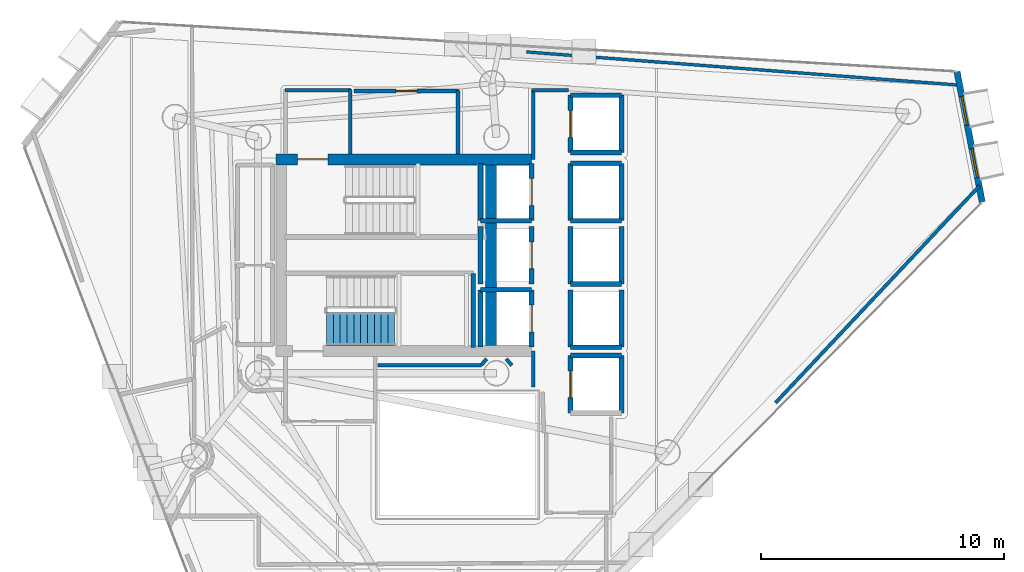
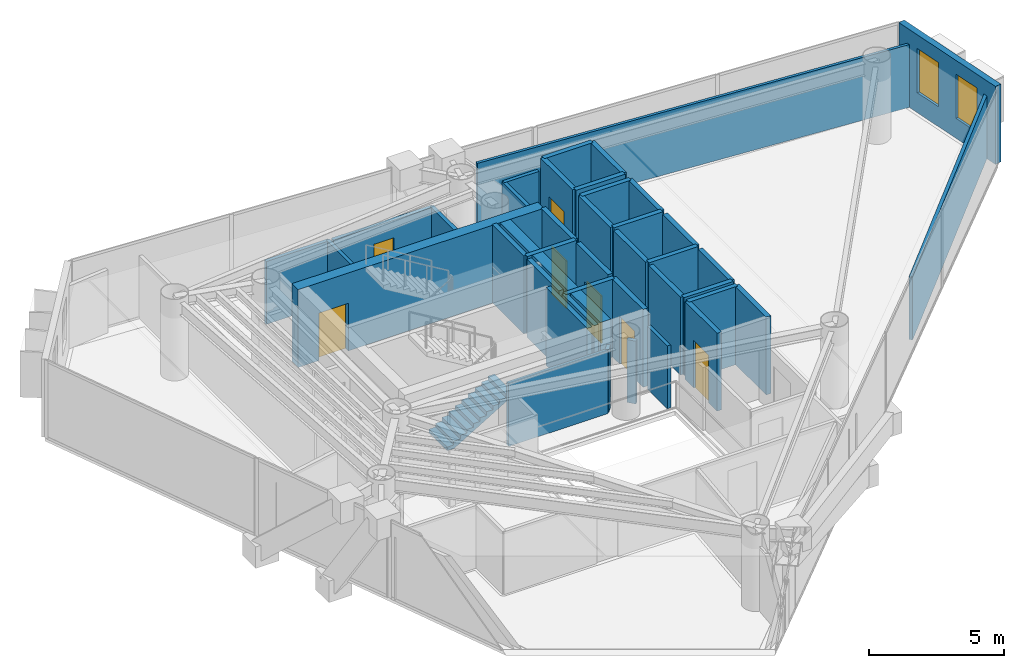
# One storey, part 17 of 20: 41 walls, 7 doors, 2 windows, 1 stair flight, 9 openings, 1 element without a shape of its own.
"""IFC4 building model written with IfcOpenShell, lengths in metres."""

import ifcopenshell
import ifcopenshell.guid

model = None  # the IFC model being written
_history = None  # IfcOwnerHistory: only IFC2X3 demands one
_inside = {}  # id of a spatial element -> (the spatial element, [elements in it])
_under = {}  # id of a project, library or spatial element -> (it, [spatial elements below it])
_declared = {}  # id of a project -> (the project, [libraries it declares])
_typed = {}  # id of a type object -> (the type object, [elements of that type])
_made_of = {}  # id of a material, layer set ... -> (it, [elements and type objects made of it])


def new_model(schema):
    """Start an empty IFC model of exactly this schema.

    Asked for "IFC4X3", IfcOpenShell would pick the latest addendum, in which some entities
    have other attributes; the version numbers below select the first issue.
    IFC2X3 requires an IfcOwnerHistory on every rooted entity: one is made here for all.
    """
    global model, _history
    if schema == "IFC4X3":
        model = ifcopenshell.file(schema_version=(4, 3, 0, 0))
    else:
        model = ifcopenshell.file(schema=schema)
    _inside.clear()
    _under.clear()
    _declared.clear()
    _typed.clear()
    _made_of.clear()
    _history = None
    if model.schema == "IFC2X3":
        org = make("IfcOrganization", Name="unknown")
        user = make(
            "IfcPersonAndOrganization",
            ThePerson=make("IfcPerson", FamilyName="unknown"),
            TheOrganization=org,
        )
        app = make(
            "IfcApplication",
            ApplicationDeveloper=org,
            Version="unknown",
            ApplicationFullName="unknown",
            ApplicationIdentifier="unknown",
        )
        _history = make(
            "IfcOwnerHistory",
            OwningUser=user,
            OwningApplication=app,
            ChangeAction="ADDED",
            CreationDate=0,
        )
    return model


def make(cls, **values):
    """One entity of the class cls with the attributes given. An attribute that is None is left unset."""
    return model.create_entity(
        cls, **{name: value for name, value in values.items() if value is not None}
    )


def rooted(cls, **values):
    """An entity with a GlobalId (a new one), such as an element, a storey or a relation."""
    return make(cls, GlobalId=ifcopenshell.guid.new(), OwnerHistory=_history, **values)


def si_unit(unit_type, name, prefix=None):
    """IfcSIUnit, for example si_unit("LENGTHUNIT", "METRE", prefix="MILLI")."""
    return make("IfcSIUnit", UnitType=unit_type, Prefix=prefix, Name=name)


def assignment(units):
    """IfcUnitAssignment: the units of a project."""
    return None if units is None else make("IfcUnitAssignment", Units=units)


def point(xyz):
    """IfcCartesianPoint."""
    return None if xyz is None else make("IfcCartesianPoint", Coordinates=xyz)


def direction(xyz):
    """IfcDirection."""
    return None if xyz is None else make("IfcDirection", DirectionRatios=xyz)


def frame(location, z_axis=None, x_axis=None):
    """IfcAxis2Placement3D, a coordinate frame: its origin and axes. An axis left out is left unset."""
    return make(
        "IfcAxis2Placement3D",
        Location=point(location),
        Axis=direction(z_axis),
        RefDirection=direction(x_axis),
    )


def frame_2d(location, x_axis=None):
    """IfcAxis2Placement2D, a coordinate frame in the plane: its origin and x axis."""
    return make(
        "IfcAxis2Placement2D", Location=point(location), RefDirection=direction(x_axis)
    )


def origin():
    """The frame at (0, 0, 0) with its axes left unset."""
    return frame((0.0, 0.0, 0.0))


def place(relative_to, where):
    """IfcLocalPlacement: puts the frame where relative to a parent placement (None: the world)."""
    return make(
        "IfcLocalPlacement", PlacementRelTo=relative_to, RelativePlacement=where
    )


def context(
    kind, dimensions, precision=None, world=None, true_north=None, identifier=None
):
    """IfcGeometricRepresentationContext, for example the 3D "Model" context."""
    return make(
        "IfcGeometricRepresentationContext",
        ContextIdentifier=identifier,
        ContextType=kind,
        CoordinateSpaceDimension=dimensions,
        Precision=precision,
        WorldCoordinateSystem=world,
        TrueNorth=true_north,
    )


def subcontext(parent, identifier, kind, view, scale=None):
    """IfcGeometricRepresentationSubContext, for example "Body" below "Model"."""
    return make(
        "IfcGeometricRepresentationSubContext",
        ContextIdentifier=identifier,
        ContextType=kind,
        ParentContext=parent,
        TargetScale=scale,
        TargetView=view,
    )


def project(units=None, contexts=None):
    """IfcProject with its units and contexts."""
    return rooted(
        "IfcProject",
        Name="project",
        RepresentationContexts=contexts,
        UnitsInContext=assignment(units),
    )


def spatial(cls, under=None, at=None, **own):
    """A site, building, storey or space (cls), placed at a placement, below another one or the project."""
    s = rooted(cls, ObjectPlacement=at, **own)
    if under is not None:
        _under.setdefault(under.id(), (under, []))[1].append(s)
    return s


def polyline(points):
    """IfcPolyline through the points."""
    return make("IfcPolyline", Points=[point(p) for p in points])


def profile(cls, at=None, kind="AREA", **sizes):
    """A parametric profile (cls). Its sizes go by their IFC names, for example OverallWidth=200.0."""
    return make(cls, ProfileType=kind, Position=at, **sizes)


def rectangle(**sizes):
    """IfcRectangleProfileDef."""
    return profile("IfcRectangleProfileDef", **sizes)


def outline(outer, holes=None, kind="AREA"):
    """IfcArbitraryClosedProfileDef: a profile drawn as a closed curve; with holes, ...WithVoids."""
    if holes is None:
        return make("IfcArbitraryClosedProfileDef", ProfileType=kind, OuterCurve=outer)
    return make(
        "IfcArbitraryProfileDefWithVoids",
        ProfileType=kind,
        OuterCurve=outer,
        InnerCurves=holes,
    )


def extrude(swept, where, along, depth):
    """IfcExtrudedAreaSolid: the profile swept, set in the frame where, extruded along a direction by depth."""
    return make(
        "IfcExtrudedAreaSolid",
        SweptArea=swept,
        Position=where,
        ExtrudedDirection=direction(along),
        Depth=depth,
    )


def shape(context_of_items, identifier, shape_type, items):
    """IfcShapeRepresentation: the items that make up one representation, for example the "Body"."""
    return make(
        "IfcShapeRepresentation",
        ContextOfItems=context_of_items,
        RepresentationIdentifier=identifier,
        RepresentationType=shape_type,
        Items=items,
    )


def material(Name=None, Category=None):
    """IfcMaterial."""
    return make("IfcMaterial", Name=Name, Category=Category)


def layer(
    of_material, thickness, ventilated=None, Name=None, Category=None, Priority=None
):
    """IfcMaterialLayer: one layer of a wall or slab, of a material (None: an air gap)."""
    return make(
        "IfcMaterialLayer",
        Material=of_material,
        LayerThickness=thickness,
        IsVentilated=ventilated,
        Name=Name,
        Category=Category,
        Priority=Priority,
    )


def layer_set(layers, Name=None):
    """IfcMaterialLayerSet."""
    return make("IfcMaterialLayerSet", MaterialLayers=layers, LayerSetName=Name)


def made_of(thing, what):
    """Note that an element or type object is made of a material, layer set ...; save() writes the relation."""
    if what is not None:
        _made_of.setdefault(what.id(), (what, []))[1].append(thing)
    return thing


def type_object(cls, material=None, **own):
    """A type object (cls), such as IfcWallType, which elements share."""
    return made_of(rooted(cls, **own), material)


def element(
    cls,
    number,
    at=None,
    inside=None,
    cuts=None,
    type_object=None,
    material=None,
    context=None,
    identifier="Body",
    shape_type=None,
    held_by="IfcProductDefinitionShape",
    body=None,
    shapes=None,
    **own,
):
    """One element of the class cls, such as IfcWall. Its Tag is "e" and its number.

    at: its placement. inside: the storey or other place that contains it. cuts: it is an
    opening in that element (IfcRelVoidsElement). A single representation is given by context,
    identifier, shape_type and body (its items); several are given by shapes. held_by: the class
    of the entity that holds the representations. save() writes the other relations.
    """
    e = rooted(cls, Tag="e%d" % number, ObjectPlacement=at, **own)
    if body is not None:
        shapes = [shape(context, identifier, shape_type, body)]
    if shapes is not None:
        e.Representation = make(held_by, Representations=shapes)
    if inside is not None:
        _inside.setdefault(inside.id(), (inside, []))[1].append(e)
    if cuts is not None:
        rooted(
            "IfcRelVoidsElement", RelatingBuildingElement=cuts, RelatedOpeningElement=e
        )
    if type_object is not None:
        _typed.setdefault(type_object.id(), (type_object, []))[1].append(e)
    return made_of(e, material)


def fill(opening, filler):
    """IfcRelFillsElement: the door or window that sits in an opening."""
    return rooted(
        "IfcRelFillsElement",
        RelatingOpeningElement=opening,
        RelatedBuildingElement=filler,
    )


def aggregate(whole, parts):
    """IfcRelAggregates: a whole, such as a stair, and the parts it consists of."""
    return rooted("IfcRelAggregates", RelatingObject=whole, RelatedObjects=parts)


def save(model, path):
    """Write the relations noted so far, then the file.

    IfcRelAggregates (storeys below a building ...), IfcRelContainedInSpatialStructure (elements
    in a storey), IfcRelDefinesByType, IfcRelAssociatesMaterial and IfcRelDeclares: one each for
    every whole, place, type object, material and project.
    """
    for whole, parts in _under.values():
        aggregate(whole, parts)
    for where, things in _inside.values():
        rooted(
            "IfcRelContainedInSpatialStructure",
            RelatedElements=things,
            RelatingStructure=where,
        )
    for kind, things in _typed.values():
        rooted("IfcRelDefinesByType", RelatedObjects=things, RelatingType=kind)
    for what, things in _made_of.values():
        rooted("IfcRelAssociatesMaterial", RelatedObjects=things, RelatingMaterial=what)
    for by, libraries in _declared.values():
        rooted("IfcRelDeclares", RelatingContext=by, RelatedDefinitions=libraries)
    model.write(path)


model = new_model("IFC4")

# Units and contexts
model_context = context("Model", 3, precision=1e-05, world=origin(), true_north=direction((0.0, 1.0)))
body_context = subcontext(model_context, "Body", "Model", "MODEL_VIEW")
ifc_project = project(units=[si_unit("LENGTHUNIT", "METRE"), si_unit("AREAUNIT", "SQUARE_METRE"), si_unit("VOLUMEUNIT", "CUBIC_METRE"), si_unit("PLANEANGLEUNIT", "RADIAN"), si_unit("MASSUNIT", "GRAM", prefix="KILO")], contexts=[model_context])

# Site, building, storey
site_placement = place(None, origin())
site = spatial("IfcSite", under=ifc_project, at=site_placement, CompositionType="ELEMENT")
building_placement = place(site_placement, origin())
building = spatial("IfcBuilding", under=site, at=building_placement, Name="Qianvela Tower", CompositionType="ELEMENT")
storey_placement = place(building_placement, frame((0.0, 0.0, 239.0)))
storey = spatial("IfcBuildingStorey", under=building, at=storey_placement, Name="L61", CompositionType="ELEMENT", Elevation=239.0)

# Wall, openings, windows
ifc_material_1 = material(Name="Terracotta Cladding on Concrete C40", Category="masonry")
ifc_layer_1 = layer(ifc_material_1, 0.260009765625)
ifc_layer_set_1 = layer_set([ifc_layer_1], Name="Terracotta Cladding on Concrete C40")
wall_type_1 = type_object("IfcWallType", Name="TERRACOTTA-WALL-260", PredefinedType="SOLIDWALL", material=ifc_layer_set_1)
wall_1_placement = place(storey_placement, frame((58.374755859375, 30.884521484375, 0.0), z_axis=(0.0, 0.0, 1.0), x_axis=(-0.189737131045, 0.981834925587, 0.0)))
wall_1 = element("IfcWall", 1, at=wall_1_placement, inside=storey, type_object=wall_type_1, Name="L61 Terracotta Chamfer Facet Wall 1", PredefinedType="SOLIDWALL", context=body_context, shape_type="SweptSolid", body=[
    extrude(rectangle(XDim=5.46484375, YDim=0.260009765625, at=frame_2d((2.732421875, 0.0))), origin(), (0.0, 0.0, 1.0), 3.52001953125),
])
opening_1_placement = place(wall_1_placement, frame((1.039306640625, 0.0, 0.89990234375)))
opening_1 = element("IfcOpeningElement", 2, at=opening_1_placement, cuts=wall_1, Name="Opening W-03", PredefinedType="OPENING", context=body_context, shape_type="SweptSolid", body=[
    extrude(rectangle(XDim=1.199951171875, YDim=2.0, at=frame_2d((0.60009765625, 1.0))), frame((0.0, 0.139892578125, 0.0), z_axis=(0.0, -1.0, 0.0), x_axis=(1.0, 0.0, 0.0)), (0.0, 0.0, 1.0), 0.280029296875),
])
opening_2_placement = place(wall_1_placement, frame((3.22509765625, 0.0, 0.89990234375)))
opening_2 = element("IfcOpeningElement", 3, at=opening_2_placement, cuts=wall_1, Name="Opening W-03", PredefinedType="OPENING", context=body_context, shape_type="SweptSolid", body=[
    extrude(rectangle(XDim=1.199951171875, YDim=2.0, at=frame_2d((0.60009765625, 1.0))), frame((0.0, 0.139892578125, 0.0), z_axis=(0.0, -1.0, 0.0), x_axis=(1.0, 0.0, 0.0)), (0.0, 0.0, 1.0), 0.280029296875),
])
ifc_material_2 = material(Name="Thermally Broken Aluminium and Low-E Glass", Category="aluminium")
window_type = type_object("IfcWindowType", Name="WIN-TC-1200x2000", PartitioningType="SINGLE_PANEL", PredefinedType="WINDOW", material=ifc_material_2)
window_1_placement = place(opening_1_placement, origin())
window_1 = element("IfcWindow", 4, at=window_1_placement, inside=storey, type_object=window_type, Name="L61 Chamfer Facet Window 1.1", OverallHeight=2.0, OverallWidth=1.199951171875, PartitioningType="SINGLE_PANEL", PredefinedType="WINDOW", context=body_context, shape_type="SweptSolid", body=[
    extrude(rectangle(XDim=1.199951171875, YDim=2.0, at=frame_2d((0.60009765625, 1.0))), frame((0.0, 0.030029296875, 0.0), z_axis=(0.0, -1.0, 0.0), x_axis=(1.0, 0.0, 0.0)), (0.0, 0.0, 1.0), 0.06005859375),
])
fill(opening_1, window_1)
window_2_placement = place(opening_2_placement, origin())
window_2 = element("IfcWindow", 5, at=window_2_placement, inside=storey, type_object=window_type, Name="L61 Chamfer Facet Window 1.2", OverallHeight=2.0, OverallWidth=1.199951171875, PartitioningType="SINGLE_PANEL", PredefinedType="WINDOW", context=body_context, shape_type="SweptSolid", body=[
    extrude(rectangle(XDim=1.199951171875, YDim=2.0, at=frame_2d((0.60009765625, 1.0))), frame((0.0, 0.030029296875, 0.0), z_axis=(0.0, -1.0, 0.0), x_axis=(1.0, 0.0, 0.0)), (0.0, 0.0, 1.0), 0.06005859375),
])
fill(opening_2, window_2)

# Wall, opening, door
ifc_material_3 = material(Name="Concrete C50", Category="concrete")
ifc_layer_2 = layer(ifc_material_3, 0.449951171875)
ifc_layer_set_2 = layer_set([ifc_layer_2], Name="Concrete C50")
wall_type_2 = type_object("IfcWallType", Name="WT-CORE-450", PredefinedType="SHEAR", material=ifc_layer_set_2)
wall_2_placement = place(storey_placement, frame((29.330078125, 32.64501953125, 0.0), z_axis=(0.0, 0.0, 1.0), x_axis=(1.0, 0.0, 0.0)))
wall_2 = element("IfcWall", 6, at=wall_2_placement, inside=storey, type_object=wall_type_2, Name="L61 North Core Shear Wall", PredefinedType="SHEAR", context=body_context, shape_type="SweptSolid", body=[
    extrude(rectangle(XDim=10.52001953125, YDim=0.449951171875, at=frame_2d((5.260009765625, 0.0))), origin(), (0.0, 0.0, 1.0), 3.52001953125),
])
opening_3_placement = place(wall_2_placement, frame((0.89501953125, 0.0, 0.0)))
opening_3 = element("IfcOpeningElement", 7, at=opening_3_placement, cuts=wall_2, Name="Opening D-ST1", PredefinedType="OPENING", context=body_context, shape_type="SweptSolid", body=[
    extrude(rectangle(XDim=1.25, YDim=2.14990234375, at=frame_2d((0.625, 1.074951171875))), frame((0.0, 0.23486328125, 0.0), z_axis=(0.0, -1.0, 0.0), x_axis=(1.0, 0.0, 0.0)), (0.0, 0.0, 1.0), 0.469970703125),
])
ifc_material_4 = material(Name="Galvanised Fire Steel Q355B", Category="steel")
door_type_1 = type_object("IfcDoorType", Name="DT-STAIR-FD90", OperationType="NOTDEFINED", PredefinedType="DOOR", material=ifc_material_4)
door_1_placement = place(opening_3_placement, origin())
door_1 = element("IfcDoor", 8, at=door_1_placement, inside=storey, type_object=door_type_1, Name="L61 Stair ST-1 Exit Door", OperationType="SINGLE_SWING_RIGHT", OverallHeight=2.14990234375, OverallWidth=1.25, PredefinedType="DOOR", context=body_context, shape_type="SweptSolid", body=[
    extrude(rectangle(XDim=1.25, YDim=2.14990234375, at=frame_2d((0.625, 1.074951171875))), frame((0.0, 0.02490234375, 0.0), z_axis=(0.0, -1.0, 0.0), x_axis=(1.0, 0.0, 0.0)), (0.0, 0.0, 1.0), 0.050048828125),
])
fill(opening_3, door_1)

# Walls
wall_3_placement = place(storey_placement, frame((38.179931640625, 24.97998046875, 0.0), z_axis=(0.0, 0.0, 1.0), x_axis=(0.0, 1.0, 0.0)))
element("IfcWall", 9, at=wall_3_placement, inside=storey, type_object=wall_type_2, Name="L61 East Spine Core Shear Wall", PredefinedType="SHEAR", context=body_context, shape_type="SweptSolid", body=[
    extrude(rectangle(XDim=7.43994140625, YDim=0.449951171875, at=frame_2d((3.719970703125, 0.0))), origin(), (0.0, 0.0, 1.0), 3.52001953125),
])
ifc_material_5 = material(Name="Fire-Rated Acoustic Gypsum Board")
ifc_layer_3 = layer(ifc_material_5, 0.14990234375)
ifc_layer_set_3 = layer_set([ifc_layer_3], Name="Fire-Rated Acoustic Gypsum Board")
wall_type_3 = type_object("IfcWallType", Name="WT-CORR-150", PredefinedType="PARTITIONING", material=ifc_layer_set_3)
wall_4_placement = place(storey_placement, frame((29.699951171875, 35.489013671875, 0.0), z_axis=(0.0, 0.0, 1.0), x_axis=(1.0, 0.0, 0.0)))
element("IfcWall", 10, at=wall_4_placement, inside=storey, type_object=wall_type_3, Name="L61 Partition 3", PredefinedType="PARTITIONING", context=body_context, shape_type="SweptSolid", body=[
    extrude(rectangle(XDim=2.719970703125, YDim=0.14990234375, at=frame_2d((1.35986328125, 0.0))), origin(), (0.0, 0.0, 1.0), 2.840087890625),
])
wall_5_placement = place(storey_placement, frame((32.388916015625, 35.52001953125, 0.0), z_axis=(0.0, 0.0, 1.0), x_axis=(0.0, -1.0, 0.0)))
element("IfcWall", 11, at=wall_5_placement, inside=storey, type_object=wall_type_3, Name="L61 Partition 4", PredefinedType="PARTITIONING", context=body_context, shape_type="SweptSolid", body=[
    extrude(rectangle(XDim=2.662109375, YDim=0.14990234375, at=frame_2d((1.3310546875, 0.0))), origin(), (0.0, 0.0, 1.0), 2.840087890625),
])
wall_6_placement = place(storey_placement, frame((39.910888671875, 23.280029296875, 0.0), z_axis=(0.0, 0.0, 1.0), x_axis=(0.0, 1.0, 0.0)))
element("IfcWall", 12, at=wall_6_placement, inside=storey, type_object=wall_type_3, Name="L61 Partition 10", PredefinedType="PARTITIONING", context=body_context, shape_type="SweptSolid", body=[
    extrude(rectangle(XDim=1.47998046875, YDim=0.14990234375, at=frame_2d((0.739990234375, 0.0))), origin(), (0.0, 0.0, 1.0), 2.840087890625),
])
wall_7_placement = place(storey_placement, frame((39.910888671875, 32.639892578125, 0.0), z_axis=(0.0, 0.0, 1.0), x_axis=(0.0, 1.0, 0.0)))
element("IfcWall", 13, at=wall_7_placement, inside=storey, type_object=wall_type_3, Name="L61 Partition 12", PredefinedType="PARTITIONING", context=body_context, shape_type="SweptSolid", body=[
    extrude(rectangle(XDim=2.880126953125, YDim=0.14990234375, at=frame_2d((1.43994140625, 0.0))), origin(), (0.0, 0.0, 1.0), 2.840087890625),
])
wall_8_placement = place(storey_placement, frame((39.8798828125, 35.489013671875, 0.0), z_axis=(0.0, 0.0, 1.0), x_axis=(1.0, 0.0, 0.0)))
element("IfcWall", 14, at=wall_8_placement, inside=storey, type_object=wall_type_3, Name="L61 Partition 13", PredefinedType="PARTITIONING", context=body_context, shape_type="SweptSolid", body=[
    extrude(rectangle(XDim=1.480224609375, YDim=0.14990234375, at=frame_2d((0.740234375, 0.0))), origin(), (0.0, 0.0, 1.0), 2.840087890625),
])
wall_9_placement = place(storey_placement, frame((39.0361328125, 24.170166015625, 0.0), z_axis=(0.0, 0.0, 1.0), x_axis=(-0.652260263346, 0.757995084984, 0.0)))
element("IfcWall", 15, at=wall_9_placement, inside=storey, type_object=wall_type_3, Name="L61 Partition 45", PredefinedType="PARTITIONING", context=body_context, shape_type="SweptSolid", body=[
    extrude(rectangle(XDim=0.35546875, YDim=0.14990234375, at=frame_2d((0.177734375, 0.0))), origin(), (0.0, 0.0, 1.0), 2.840087890625),
])
wall_10_placement = place(storey_placement, frame((37.995849609375, 24.439697265625, 0.0), z_axis=(0.0, 0.0, 1.0), x_axis=(-0.652425645794, -0.757852740782, 0.0)))
element("IfcWall", 16, at=wall_10_placement, inside=storey, type_object=wall_type_3, Name="L61 Partition 48", PredefinedType="PARTITIONING", context=body_context, shape_type="SweptSolid", body=[
    extrude(rectangle(XDim=0.319580078125, YDim=0.14990234375, at=frame_2d((0.15966796875, 0.0))), origin(), (0.0, 0.0, 1.0), 2.840087890625),
])
wall_11_placement = place(storey_placement, frame((37.787353515625, 24.180908203125, 0.0), z_axis=(0.0, 0.0, 1.0), x_axis=(-1.0, 0.0, 0.0)))
element("IfcWall", 17, at=wall_11_placement, inside=storey, type_object=wall_type_3, Name="L61 Partition 49", PredefinedType="PARTITIONING", context=body_context, shape_type="SweptSolid", body=[
    extrude(rectangle(XDim=4.25732421875, YDim=0.14990234375, at=frame_2d((2.128662109375, 0.0))), origin(), (0.0, 0.0, 1.0), 2.840087890625),
])
ifc_material_6 = material(Name="Insulated Gypsum Stud Partition")
ifc_layer_4 = layer(ifc_material_6, 0.1201171875)
ifc_layer_set_4 = layer_set([ifc_layer_4], Name="Insulated Gypsum Stud Partition")
wall_type_4 = type_object("IfcWallType", Name="WT-PART-120", PredefinedType="PARTITIONING", material=ifc_layer_set_4)
wall_12_placement = place(storey_placement, frame((39.640380859375, 37.058837890625, 0.0), z_axis=(0.0, 0.0, 1.0), x_axis=(0.997065320003, -0.07655552003, 0.0)))
element("IfcWall", 18, at=wall_12_placement, inside=storey, type_object=wall_type_4, Name="L61 Partition 89 seg 1", PredefinedType="PARTITIONING", context=body_context, shape_type="SweptSolid", body=[
    extrude(rectangle(XDim=17.8779296875, YDim=0.1201171875, at=frame_2d((8.93896484375, 0.0))), origin(), (0.0, 0.0, 1.0), 2.840087890625),
])

# Wall, opening, door
ifc_material_7 = material(Name="Sanitary Service Chase Partition")
ifc_layer_5 = layer(ifc_material_7, 0.1650390625)
ifc_layer_set_5 = layer_set([ifc_layer_5], Name="Sanitary Service Chase Partition")
wall_type_5 = type_object("IfcWallType", Name="WT-PLUMB-165", PredefinedType="PLUMBINGWALL", material=ifc_layer_set_5)
wall_13_placement = place(storey_placement, frame((32.550048828125, 35.448974609375, 0.0), z_axis=(0.0, 0.0, 1.0), x_axis=(1.0, 0.0, 0.0)))
wall_13 = element("IfcWall", 19, at=wall_13_placement, inside=storey, type_object=wall_type_5, Name="L61 Partition 21", PredefinedType="PLUMBINGWALL", context=body_context, shape_type="SweptSolid", body=[
    extrude(rectangle(XDim=4.300048828125, YDim=0.1650390625, at=frame_2d((2.14990234375, 0.0))), origin(), (0.0, 0.0, 1.0), 2.840087890625),
])
opening_4_placement = place(wall_13_placement, frame((1.719970703125, 0.0, 0.0)))
opening_4 = element("IfcOpeningElement", 20, at=opening_4_placement, cuts=wall_13, Name="Opening D-WC1", PredefinedType="OPENING", context=body_context, shape_type="SweptSolid", body=[
    extrude(rectangle(XDim=0.860107421875, YDim=2.050048828125, at=frame_2d((0.43017578125, 1.02490234375))), frame((0.0, 0.092529296875, 0.0), z_axis=(0.0, -1.0, 0.0), x_axis=(1.0, 0.0, 0.0)), (0.0, 0.0, 1.0), 0.18505859375),
])
ifc_material_8 = material(Name="Moisture-Sealed Acoustic Timber Door", Category="wood")
door_type_2 = type_object("IfcDoorType", Name="DT-WC-860", OperationType="NOTDEFINED", PredefinedType="DOOR", material=ifc_material_8)
door_2_placement = place(opening_4_placement, origin())
door_2 = element("IfcDoor", 21, at=door_2_placement, inside=storey, type_object=door_type_2, Name="L61 Door L61 Accessible WC to Social Sitting Lounge L61-02", OperationType="SINGLE_SWING_LEFT", OverallHeight=2.050048828125, OverallWidth=0.860107421875, PredefinedType="DOOR", context=body_context, shape_type="SweptSolid", body=[
    extrude(rectangle(XDim=0.860107421875, YDim=2.050048828125, at=frame_2d((0.43017578125, 1.02490234375))), frame((0.0, 0.02490234375, 0.0), z_axis=(0.0, -1.0, 0.0), x_axis=(1.0, 0.0, 0.0)), (0.0, 0.0, 1.0), 0.050048828125),
])
fill(opening_4, door_2)

# Walls
wall_14_placement = place(storey_placement, frame((36.819091796875, 35.47998046875, 0.0), z_axis=(0.0, 0.0, 1.0), x_axis=(0.0, -1.0, 0.0)))
element("IfcWall", 22, at=wall_14_placement, inside=storey, type_object=wall_type_5, Name="L61 Partition 22", PredefinedType="PLUMBINGWALL", context=body_context, shape_type="SweptSolid", body=[
    extrude(rectangle(XDim=2.6220703125, YDim=0.1650390625, at=frame_2d((1.31103515625, 0.0))), origin(), (0.0, 0.0, 1.0), 2.840087890625),
])
ifc_material_9 = material(Name="Acoustic Double Gypsum Stud Partition")
ifc_layer_6 = layer(ifc_material_9, 0.139892578125)
ifc_layer_set_6 = layer_set([ifc_layer_6], Name="Acoustic Double Gypsum Stud Partition")
wall_type_6 = type_object("IfcWallType", Name="WT-ROOM-140", PredefinedType="PARTITIONING", material=ifc_layer_set_6)
wall_15_placement = place(storey_placement, frame((58.26220703125, 31.55419921875, 0.0), z_axis=(0.0, 0.0, 1.0), x_axis=(-0.684961653946, -0.728579118987, 0.0)))
element("IfcWall", 23, at=wall_15_placement, inside=storey, type_object=wall_type_6, Name="L61 Partition 91 seg 1", PredefinedType="PARTITIONING", context=body_context, shape_type="SweptSolid", body=[
    extrude(rectangle(XDim=12.246826171875, YDim=0.139892578125, at=frame_2d((6.12353515625, 0.0))), origin(), (0.0, 0.0, 1.0), 2.840087890625),
])
ifc_material_10 = material(Name="Concrete C50", Category="concrete")
ifc_layer_7 = layer(ifc_material_10, 0.199951171875)
ifc_layer_set_7 = layer_set([ifc_layer_7], Name="Concrete C50")
wall_type_7 = type_object("IfcWallType", Name="WT-SHAFT-200", PredefinedType="SOLIDWALL", material=ifc_layer_set_7)
wall_16_placement = place(storey_placement, frame((37.449951171875, 24.89990234375, 0.0), z_axis=(0.0, 0.0, 1.0), x_axis=(0.0, 1.0, 0.0)))
element("IfcWall", 24, at=wall_16_placement, inside=storey, type_object=wall_type_7, Name="L61 Stair ST-2 East Wall", PredefinedType="SOLIDWALL", context=body_context, shape_type="SweptSolid", body=[
    extrude(rectangle(XDim=3.06005859375, YDim=0.199951171875, at=frame_2d((1.530029296875, 0.0))), origin(), (0.0, 0.0, 1.0), 3.52001953125),
])

# Wall, opening, door
wall_17_placement = place(storey_placement, frame((39.85009765625, 30.1201171875, 0.0), z_axis=(0.0, 0.0, 1.0), x_axis=(0.0, 1.0, 0.0)))
wall_17 = element("IfcWall", 25, at=wall_17_placement, inside=storey, type_object=wall_type_7, Name="L61 Lift FL-1 E Shaft Wall", PredefinedType="SOLIDWALL", context=body_context, shape_type="SweptSolid", body=[
    extrude(rectangle(XDim=2.35986328125, YDim=0.199951171875, at=frame_2d((1.179931640625, 0.0))), origin(), (0.0, 0.0, 1.0), 3.52001953125),
])
opening_5_placement = place(wall_17_placement, frame((0.6298828125, 0.0, 0.0)))
opening_5 = element("IfcOpeningElement", 26, at=opening_5_placement, cuts=wall_17, Name="Opening LD-01", PredefinedType="OPENING", context=body_context, shape_type="SweptSolid", body=[
    extrude(rectangle(XDim=1.10009765625, YDim=2.14990234375, at=frame_2d((0.550048828125, 1.074951171875))), frame((0.0, 0.10986328125, 0.0), z_axis=(0.0, -1.0, 0.0), x_axis=(1.0, 0.0, 0.0)), (0.0, 0.0, 1.0), 0.219970703125),
])
ifc_material_11 = material(Name="Brushed Stainless Steel Lift Landing Door", Category="steel")
door_type_3 = type_object("IfcDoorType", Name="DT-LIFT-SLIDE-1100", OperationType="SLIDING_TO_LEFT", PredefinedType="DOOR", material=ifc_material_11)
door_3_placement = place(opening_5_placement, origin())
door_3 = element("IfcDoor", 27, at=door_3_placement, inside=storey, type_object=door_type_3, Name="L61 Lift FL-1 Sliding Landing Door", OperationType="SLIDING_TO_LEFT", OverallHeight=2.14990234375, OverallWidth=1.10009765625, PredefinedType="DOOR", context=body_context, shape_type="SweptSolid", body=[
    extrude(rectangle(XDim=1.10009765625, YDim=2.14990234375, at=frame_2d((0.550048828125, 1.074951171875))), frame((0.0, 0.02490234375, 0.0), z_axis=(0.0, -1.0, 0.0), x_axis=(1.0, 0.0, 0.0)), (0.0, 0.0, 1.0), 0.050048828125),
])
fill(opening_5, door_3)

# Walls
wall_18_placement = place(storey_placement, frame((37.75, 30.1201171875, 0.0), z_axis=(0.0, 0.0, 1.0), x_axis=(0.0, 1.0, 0.0)))
element("IfcWall", 28, at=wall_18_placement, inside=storey, type_object=wall_type_7, Name="L61 Lift FL-1 W Shaft Wall", PredefinedType="SOLIDWALL", context=body_context, shape_type="SweptSolid", body=[
    extrude(rectangle(XDim=2.35986328125, YDim=0.199951171875, at=frame_2d((1.179931640625, 0.0))), origin(), (0.0, 0.0, 1.0), 3.52001953125),
])
wall_19_placement = place(storey_placement, frame((37.75, 30.1201171875, 0.0), z_axis=(0.0, 0.0, 1.0), x_axis=(1.0, 0.0, 0.0)))
element("IfcWall", 29, at=wall_19_placement, inside=storey, type_object=wall_type_7, Name="L61 Lift FL-1 S Shaft Wall", PredefinedType="SOLIDWALL", context=body_context, shape_type="SweptSolid", body=[
    extrude(rectangle(XDim=2.10009765625, YDim=0.199951171875, at=frame_2d((1.050048828125, 0.0))), origin(), (0.0, 0.0, 1.0), 3.52001953125),
])

# Wall, opening, door
wall_20_placement = place(storey_placement, frame((39.85009765625, 24.919921875, 0.0), z_axis=(0.0, 0.0, 1.0), x_axis=(0.0, 1.0, 0.0)))
wall_20 = element("IfcWall", 30, at=wall_20_placement, inside=storey, type_object=wall_type_7, Name="L61 Lift FL-2 E Shaft Wall", PredefinedType="SOLIDWALL", context=body_context, shape_type="SweptSolid", body=[
    extrude(rectangle(XDim=2.360107421875, YDim=0.199951171875, at=frame_2d((1.18017578125, 0.0))), origin(), (0.0, 0.0, 1.0), 3.52001953125),
])
opening_6_placement = place(wall_20_placement, frame((0.6298828125, 0.0, 0.0)))
opening_6 = element("IfcOpeningElement", 31, at=opening_6_placement, cuts=wall_20, Name="Opening LD-01", PredefinedType="OPENING", context=body_context, shape_type="SweptSolid", body=[
    extrude(rectangle(XDim=1.10009765625, YDim=2.14990234375, at=frame_2d((0.550048828125, 1.074951171875))), frame((0.0, 0.10986328125, 0.0), z_axis=(0.0, -1.0, 0.0), x_axis=(1.0, 0.0, 0.0)), (0.0, 0.0, 1.0), 0.219970703125),
])
door_4_placement = place(opening_6_placement, origin())
door_4 = element("IfcDoor", 32, at=door_4_placement, inside=storey, type_object=door_type_3, Name="L61 Lift FL-2 Sliding Landing Door", OperationType="SLIDING_TO_LEFT", OverallHeight=2.14990234375, OverallWidth=1.10009765625, PredefinedType="DOOR", context=body_context, shape_type="SweptSolid", body=[
    extrude(rectangle(XDim=1.10009765625, YDim=2.14990234375, at=frame_2d((0.550048828125, 1.074951171875))), frame((0.0, 0.02490234375, 0.0), z_axis=(0.0, -1.0, 0.0), x_axis=(1.0, 0.0, 0.0)), (0.0, 0.0, 1.0), 0.050048828125),
])
fill(opening_6, door_4)

# Walls
wall_21_placement = place(storey_placement, frame((37.75, 24.919921875, 0.0), z_axis=(0.0, 0.0, 1.0), x_axis=(0.0, 1.0, 0.0)))
element("IfcWall", 33, at=wall_21_placement, inside=storey, type_object=wall_type_7, Name="L61 Lift FL-2 W Shaft Wall", PredefinedType="SOLIDWALL", context=body_context, shape_type="SweptSolid", body=[
    extrude(rectangle(XDim=2.360107421875, YDim=0.199951171875, at=frame_2d((1.18017578125, 0.0))), origin(), (0.0, 0.0, 1.0), 3.52001953125),
])
wall_22_placement = place(storey_placement, frame((37.75, 27.280029296875, 0.0), z_axis=(0.0, 0.0, 1.0), x_axis=(1.0, 0.0, 0.0)))
element("IfcWall", 34, at=wall_22_placement, inside=storey, type_object=wall_type_7, Name="L61 Lift FL-2 N Shaft Wall", PredefinedType="SOLIDWALL", context=body_context, shape_type="SweptSolid", body=[
    extrude(rectangle(XDim=2.10009765625, YDim=0.199951171875, at=frame_2d((1.050048828125, 0.0))), origin(), (0.0, 0.0, 1.0), 3.52001953125),
])
for number, where, z_axis, x_axis, name in (
    (35, (43.550048828125, 30.1201171875, 0.0), (0.0, 0.0, 1.0), (0.0, 1.0, 0.0), "L61 Lift PL-M1 E Shaft Wall"),
    (36, (41.449951171875, 30.1201171875, 0.0), (0.0, 0.0, 1.0), (0.0, 1.0, 0.0), "L61 Lift PL-M1 W Shaft Wall"),
):
    element("IfcWall", number, at=place(storey_placement, frame(where, z_axis=z_axis, x_axis=x_axis)), inside=storey, type_object=wall_type_7, Name=name, PredefinedType="SOLIDWALL", context=body_context, shape_type="SweptSolid", body=[
        extrude(rectangle(XDim=2.35986328125, YDim=0.199951171875, at=frame_2d((1.179931640625, 0.0))), origin(), (0.0, 0.0, 1.0), 3.52001953125),
    ])
for number, where, z_axis, x_axis, name in (
    (37, (41.449951171875, 32.47998046875, 0.0), (0.0, 0.0, 1.0), (1.0, 0.0, 0.0), "L61 Lift PL-M1 N Shaft Wall"),
    (38, (41.449951171875, 30.1201171875, 0.0), (0.0, 0.0, 1.0), (1.0, 0.0, 0.0), "L61 Lift PL-M1 S Shaft Wall"),
):
    element("IfcWall", number, at=place(storey_placement, frame(where, z_axis=z_axis, x_axis=x_axis)), inside=storey, type_object=wall_type_7, Name=name, PredefinedType="SOLIDWALL", context=body_context, shape_type="SweptSolid", body=[
        extrude(rectangle(XDim=2.10009765625, YDim=0.199951171875, at=frame_2d((1.050048828125, 0.0))), origin(), (0.0, 0.0, 1.0), 3.52001953125),
    ])
for number, where, z_axis, x_axis, name in (
    (39, (43.550048828125, 27.52001953125, 0.0), (0.0, 0.0, 1.0), (0.0, 1.0, 0.0), "L61 Lift PL-M2 E Shaft Wall"),
    (40, (41.449951171875, 27.52001953125, 0.0), (0.0, 0.0, 1.0), (0.0, 1.0, 0.0), "L61 Lift PL-M2 W Shaft Wall"),
):
    element("IfcWall", number, at=place(storey_placement, frame(where, z_axis=z_axis, x_axis=x_axis)), inside=storey, type_object=wall_type_7, Name=name, PredefinedType="SOLIDWALL", context=body_context, shape_type="SweptSolid", body=[
        extrude(rectangle(XDim=2.35986328125, YDim=0.199951171875, at=frame_2d((1.179931640625, 0.0))), origin(), (0.0, 0.0, 1.0), 3.52001953125),
    ])
wall_23_placement = place(storey_placement, frame((41.449951171875, 27.52001953125, 0.0), z_axis=(0.0, 0.0, 1.0), x_axis=(1.0, 0.0, 0.0)))
element("IfcWall", 41, at=wall_23_placement, inside=storey, type_object=wall_type_7, Name="L61 Lift PL-M2 S Shaft Wall", PredefinedType="SOLIDWALL", context=body_context, shape_type="SweptSolid", body=[
    extrude(rectangle(XDim=2.10009765625, YDim=0.199951171875, at=frame_2d((1.050048828125, 0.0))), origin(), (0.0, 0.0, 1.0), 3.52001953125),
])
for number, where, z_axis, x_axis, name in (
    (42, (43.550048828125, 24.919921875, 0.0), (0.0, 0.0, 1.0), (0.0, 1.0, 0.0), "L61 Lift PL-M3 E Shaft Wall"),
    (43, (41.449951171875, 24.919921875, 0.0), (0.0, 0.0, 1.0), (0.0, 1.0, 0.0), "L61 Lift PL-M3 W Shaft Wall"),
):
    element("IfcWall", number, at=place(storey_placement, frame(where, z_axis=z_axis, x_axis=x_axis)), inside=storey, type_object=wall_type_7, Name=name, PredefinedType="SOLIDWALL", context=body_context, shape_type="SweptSolid", body=[
        extrude(rectangle(XDim=2.360107421875, YDim=0.199951171875, at=frame_2d((1.18017578125, 0.0))), origin(), (0.0, 0.0, 1.0), 3.52001953125),
    ])
wall_24_placement = place(storey_placement, frame((41.449951171875, 24.919921875, 0.0), z_axis=(0.0, 0.0, 1.0), x_axis=(1.0, 0.0, 0.0)))
element("IfcWall", 44, at=wall_24_placement, inside=storey, type_object=wall_type_7, Name="L61 Lift PL-M3 S Shaft Wall", PredefinedType="SOLIDWALL", context=body_context, shape_type="SweptSolid", body=[
    extrude(rectangle(XDim=2.10009765625, YDim=0.199951171875, at=frame_2d((1.050048828125, 0.0))), origin(), (0.0, 0.0, 1.0), 3.52001953125),
])

# Wall, opening, door
wall_25_placement = place(storey_placement, frame((39.85009765625, 27.52001953125, 0.0), z_axis=(0.0, 0.0, 1.0), x_axis=(0.0, 1.0, 0.0)))
wall_25 = element("IfcWall", 45, at=wall_25_placement, inside=storey, type_object=wall_type_7, Name="L61 Lift PL-H1 E Shaft Wall", PredefinedType="SOLIDWALL", context=body_context, shape_type="SweptSolid", body=[
    extrude(rectangle(XDim=2.35986328125, YDim=0.199951171875, at=frame_2d((1.179931640625, 0.0))), origin(), (0.0, 0.0, 1.0), 3.52001953125),
])
opening_7_placement = place(wall_25_placement, frame((0.6298828125, 0.0, 0.0)))
opening_7 = element("IfcOpeningElement", 46, at=opening_7_placement, cuts=wall_25, Name="Opening LD-01", PredefinedType="OPENING", context=body_context, shape_type="SweptSolid", body=[
    extrude(rectangle(XDim=1.10009765625, YDim=2.14990234375, at=frame_2d((0.550048828125, 1.074951171875))), frame((0.0, 0.10986328125, 0.0), z_axis=(0.0, -1.0, 0.0), x_axis=(1.0, 0.0, 0.0)), (0.0, 0.0, 1.0), 0.219970703125),
])
door_5_placement = place(opening_7_placement, origin())
door_5 = element("IfcDoor", 47, at=door_5_placement, inside=storey, type_object=door_type_3, Name="L61 Lift PL-H1 Sliding Landing Door", OperationType="SLIDING_TO_LEFT", OverallHeight=2.14990234375, OverallWidth=1.10009765625, PredefinedType="DOOR", context=body_context, shape_type="SweptSolid", body=[
    extrude(rectangle(XDim=1.10009765625, YDim=2.14990234375, at=frame_2d((0.550048828125, 1.074951171875))), frame((0.0, 0.02490234375, 0.0), z_axis=(0.0, -1.0, 0.0), x_axis=(1.0, 0.0, 0.0)), (0.0, 0.0, 1.0), 0.050048828125),
])
fill(opening_7, door_5)

# Walls
wall_26_placement = place(storey_placement, frame((37.75, 27.52001953125, 0.0), z_axis=(0.0, 0.0, 1.0), x_axis=(0.0, 1.0, 0.0)))
element("IfcWall", 48, at=wall_26_placement, inside=storey, type_object=wall_type_7, Name="L61 Lift PL-H1 W Shaft Wall", PredefinedType="SOLIDWALL", context=body_context, shape_type="SweptSolid", body=[
    extrude(rectangle(XDim=2.35986328125, YDim=0.199951171875, at=frame_2d((1.179931640625, 0.0))), origin(), (0.0, 0.0, 1.0), 3.52001953125),
])
wall_27_placement = place(storey_placement, frame((43.550048828125, 22.219970703125, 0.0), z_axis=(0.0, 0.0, 1.0), x_axis=(0.0, 1.0, 0.0)))
element("IfcWall", 49, at=wall_27_placement, inside=storey, type_object=wall_type_7, Name="L61 Lift PL-H2 E Shaft Wall", PredefinedType="SOLIDWALL", context=body_context, shape_type="SweptSolid", body=[
    extrude(rectangle(XDim=2.360107421875, YDim=0.199951171875, at=frame_2d((1.18017578125, 0.0))), origin(), (0.0, 0.0, 1.0), 3.52001953125),
])

# Wall, opening, door
wall_28_placement = place(storey_placement, frame((41.449951171875, 22.219970703125, 0.0), z_axis=(0.0, 0.0, 1.0), x_axis=(0.0, 1.0, 0.0)))
wall_28 = element("IfcWall", 50, at=wall_28_placement, inside=storey, type_object=wall_type_7, Name="L61 Lift PL-H2 W Shaft Wall", PredefinedType="SOLIDWALL", context=body_context, shape_type="SweptSolid", body=[
    extrude(rectangle(XDim=2.360107421875, YDim=0.199951171875, at=frame_2d((1.18017578125, 0.0))), origin(), (0.0, 0.0, 1.0), 3.52001953125),
])
opening_8_placement = place(wall_28_placement, frame((0.6298828125, 0.0, 0.0)))
opening_8 = element("IfcOpeningElement", 51, at=opening_8_placement, cuts=wall_28, Name="Opening LD-01", PredefinedType="OPENING", context=body_context, shape_type="SweptSolid", body=[
    extrude(rectangle(XDim=1.10009765625, YDim=2.14990234375, at=frame_2d((0.550048828125, 1.074951171875))), frame((0.0, 0.10986328125, 0.0), z_axis=(0.0, -1.0, 0.0), x_axis=(1.0, 0.0, 0.0)), (0.0, 0.0, 1.0), 0.219970703125),
])
door_6_placement = place(opening_8_placement, origin())
door_6 = element("IfcDoor", 52, at=door_6_placement, inside=storey, type_object=door_type_3, Name="L61 Lift PL-H2 Sliding Landing Door", OperationType="SLIDING_TO_LEFT", OverallHeight=2.14990234375, OverallWidth=1.10009765625, PredefinedType="DOOR", context=body_context, shape_type="SweptSolid", body=[
    extrude(rectangle(XDim=1.10009765625, YDim=2.14990234375, at=frame_2d((0.550048828125, 1.074951171875))), frame((0.0, 0.02490234375, 0.0), z_axis=(0.0, -1.0, 0.0), x_axis=(1.0, 0.0, 0.0)), (0.0, 0.0, 1.0), 0.050048828125),
])
fill(opening_8, door_6)

# Walls
wall_29_placement = place(storey_placement, frame((41.449951171875, 24.580078125, 0.0), z_axis=(0.0, 0.0, 1.0), x_axis=(1.0, 0.0, 0.0)))
element("IfcWall", 53, at=wall_29_placement, inside=storey, type_object=wall_type_7, Name="L61 Lift PL-H2 N Shaft Wall", PredefinedType="SOLIDWALL", context=body_context, shape_type="SweptSolid", body=[
    extrude(rectangle(XDim=2.10009765625, YDim=0.199951171875, at=frame_2d((1.050048828125, 0.0))), origin(), (0.0, 0.0, 1.0), 3.52001953125),
])
wall_30_placement = place(storey_placement, frame((43.550048828125, 32.919921875, 0.0), z_axis=(0.0, 0.0, 1.0), x_axis=(0.0, 1.0, 0.0)))
element("IfcWall", 54, at=wall_30_placement, inside=storey, type_object=wall_type_7, Name="L61 Lift PL-H3 E Shaft Wall", PredefinedType="SOLIDWALL", context=body_context, shape_type="SweptSolid", body=[
    extrude(rectangle(XDim=2.360107421875, YDim=0.199951171875, at=frame_2d((1.18017578125, 0.0))), origin(), (0.0, 0.0, 1.0), 3.52001953125),
])

# Wall, opening, door
wall_31_placement = place(storey_placement, frame((41.449951171875, 32.919921875, 0.0), z_axis=(0.0, 0.0, 1.0), x_axis=(0.0, 1.0, 0.0)))
wall_31 = element("IfcWall", 55, at=wall_31_placement, inside=storey, type_object=wall_type_7, Name="L61 Lift PL-H3 W Shaft Wall", PredefinedType="SOLIDWALL", context=body_context, shape_type="SweptSolid", body=[
    extrude(rectangle(XDim=2.360107421875, YDim=0.199951171875, at=frame_2d((1.18017578125, 0.0))), origin(), (0.0, 0.0, 1.0), 3.52001953125),
])
opening_9_placement = place(wall_31_placement, frame((0.6298828125, 0.0, 0.0)))
opening_9 = element("IfcOpeningElement", 56, at=opening_9_placement, cuts=wall_31, Name="Opening LD-01", PredefinedType="OPENING", context=body_context, shape_type="SweptSolid", body=[
    extrude(rectangle(XDim=1.10009765625, YDim=2.14990234375, at=frame_2d((0.550048828125, 1.074951171875))), frame((0.0, 0.10986328125, 0.0), z_axis=(0.0, -1.0, 0.0), x_axis=(1.0, 0.0, 0.0)), (0.0, 0.0, 1.0), 0.219970703125),
])
door_7_placement = place(opening_9_placement, origin())
door_7 = element("IfcDoor", 57, at=door_7_placement, inside=storey, type_object=door_type_3, Name="L61 Lift PL-H3 Sliding Landing Door", OperationType="SLIDING_TO_LEFT", OverallHeight=2.14990234375, OverallWidth=1.10009765625, PredefinedType="DOOR", context=body_context, shape_type="SweptSolid", body=[
    extrude(rectangle(XDim=1.10009765625, YDim=2.14990234375, at=frame_2d((0.550048828125, 1.074951171875))), frame((0.0, 0.02490234375, 0.0), z_axis=(0.0, -1.0, 0.0), x_axis=(1.0, 0.0, 0.0)), (0.0, 0.0, 1.0), 0.050048828125),
])
fill(opening_9, door_7)

# Walls
for number, where, z_axis, x_axis, name in (
    (58, (41.449951171875, 35.280029296875, 0.0), (0.0, 0.0, 1.0), (1.0, 0.0, 0.0), "L61 Lift PL-H3 N Shaft Wall"),
    (59, (41.449951171875, 32.919921875, 0.0), (0.0, 0.0, 1.0), (1.0, 0.0, 0.0), "L61 Lift PL-H3 S Shaft Wall"),
):
    element("IfcWall", number, at=place(storey_placement, frame(where, z_axis=z_axis, x_axis=x_axis)), inside=storey, type_object=wall_type_7, Name=name, PredefinedType="SOLIDWALL", context=body_context, shape_type="SweptSolid", body=[
        extrude(rectangle(XDim=2.10009765625, YDim=0.199951171875, at=frame_2d((1.050048828125, 0.0))), origin(), (0.0, 0.0, 1.0), 3.52001953125),
    ])

# Stair, stair flight
ifc_material_12 = material(Name="Concrete C40", Category="concrete")
stair_type = type_object("IfcStairType", Name="ST-DOGLEG-1350-R168-N22", PredefinedType="HALF_TURN_STAIR", material=ifc_material_12)
stair_placement = place(storey_placement, origin())
stair = element("IfcStair", 60, at=stair_placement, inside=storey, type_object=stair_type, Name="L61 Smoke-Proof Core Stair ST-2", PredefinedType="HALF_TURN_STAIR")
ifc_material_13 = material(Name="Concrete C40", Category="concrete")
stair_flight_type = type_object("IfcStairFlightType", Name="STF-STRAIGHT-R168-P11", PredefinedType="STRAIGHT", material=ifc_material_13)
stair_flight_placement = place(storey_placement, frame((31.419921875, 25.675048828125, 0.0), z_axis=(0.0, 0.0, 1.0), x_axis=(1.0, 0.0, 0.0)))
stair_flight = element("IfcStairFlight", 61, at=stair_flight_placement, type_object=stair_flight_type, Name="ST-2 flight 1", NumberOfRisers=11, NumberOfTreads=10, PredefinedType="STRAIGHT", RiserHeight=0.168181818, TreadLength=0.28, context=body_context, shape_type="SweptSolid", body=[
    extrude(outline(polyline([(0.0, 0.0), (0.0, 0.168212890625), (0.280029296875, 0.168212890625), (0.280029296875, 0.33642578125), (0.56005859375, 0.33642578125), (0.56005859375, 0.504638671875), (0.840087890625, 0.504638671875), (0.840087890625, 0.672607421875), (1.1201171875, 0.672607421875), (1.1201171875, 0.8408203125), (1.39990234375, 0.8408203125), (1.39990234375, 1.009033203125), (1.679931640625, 1.009033203125), (1.679931640625, 1.17724609375), (1.9599609375, 1.17724609375), (1.9599609375, 1.345458984375), (2.239990234375, 1.345458984375), (2.239990234375, 1.513671875), (2.52001953125, 1.513671875), (2.52001953125, 1.681884765625), (2.800048828125, 1.681884765625), (2.800048828125, 1.85009765625), (2.800048828125, 1.5068359375), (0.291015625, 0.0), (0.0, 0.0)])), frame((0.0, 0.675048828125, 0.0), z_axis=(0.0, -1.0, 0.0), x_axis=(1.0, 0.0, 0.0)), (0.0, 0.0, 1.0), 1.35009765625),
])
aggregate(stair, [stair_flight])

save(model, "model.ifc")
